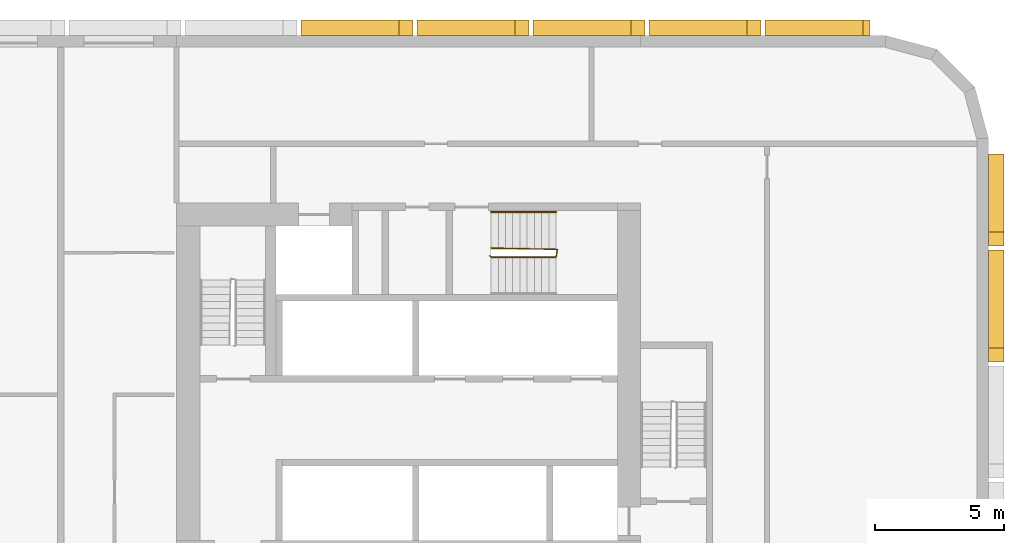
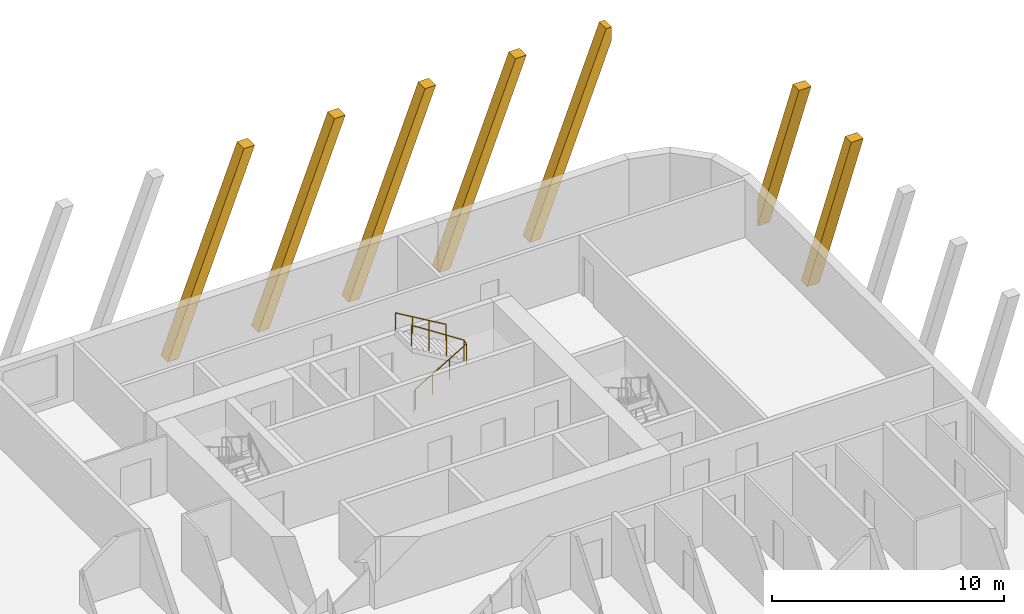
# One storey, part 13 of 13: 7 coverings, 2 railings.
"""IFC4 building model written with IfcOpenShell, lengths in metres."""

from ifc_helpers import new_model, si_unit, direction, frame, origin, origin_2d, place, context, subcontext, project, spatial, polyline, rectangle, circle, outline, extrude, material, material_profile, profile_set, type_object, element, save


model = new_model("IFC4")

# Units and contexts
model_context = context("Model", 3, precision=1e-05, world=origin(), true_north=direction((0.0, 1.0)))
body_context = subcontext(model_context, "Body", "Model", "MODEL_VIEW")
ifc_project = project(units=[si_unit("LENGTHUNIT", "METRE"), si_unit("AREAUNIT", "SQUARE_METRE"), si_unit("VOLUMEUNIT", "CUBIC_METRE"), si_unit("PLANEANGLEUNIT", "RADIAN"), si_unit("MASSUNIT", "GRAM", prefix="KILO")], contexts=[model_context])

# Site, building, storey
site_placement = place(None, origin())
site = spatial("IfcSite", under=ifc_project, at=site_placement, CompositionType="ELEMENT")
building_placement = place(site_placement, origin())
building = spatial("IfcBuilding", under=site, at=building_placement, Name="Kajstack Hotel Tower", CompositionType="ELEMENT")
storey_placement = place(building_placement, frame((0.0, 0.0, 89.699951171875)))
storey = spatial("IfcBuildingStorey", under=building, at=storey_placement, Name="L18", CompositionType="ELEMENT", Elevation=89.699951171875)

# Coverings
ifc_material_1 = material(Name="Terracotta", Category="masonry")
ifc_material_profile = material_profile(ifc_material_1, rectangle(XDim=0.60009765625, YDim=0.5, at=origin_2d()), Name="Terracotta-clad concrete baguette 500 x 600")
ifc_profile_set = profile_set([ifc_material_profile], Name="Terracotta")
covering_type = type_object("IfcCoveringType", Name="BAGUETTE 500x600", PredefinedType="CLADDING", material=ifc_profile_set)
covering_1_placement = place(storey_placement, frame((45.0, 9.332275390625, 0.0), z_axis=(1.0, 0.0, 0.0), x_axis=(0.0, 1.0, 0.0)))
element("IfcCovering", 1, at=covering_1_placement, inside=storey, type_object=covering_type, Name="Baguette L18-07-027", PredefinedType="CLADDING", context=body_context, shape_type="SweptSolid", body=[
    extrude(outline(polyline([(0.0, 9.89990234375), (3.80029296875, 0.0), (4.3359375, 0.0), (0.53564453125, 9.89990234375), (0.0, 9.89990234375)])), origin(), (0.0, 0.0, 1.0), 0.60009765625),
])
covering_2_placement = place(storey_placement, frame((45.0, 13.832275390625, 0.0), z_axis=(1.0, 0.0, 0.0), x_axis=(0.0, 1.0, 0.0)))
element("IfcCovering", 2, at=covering_2_placement, inside=storey, type_object=covering_type, Name="Baguette L18-07-031", PredefinedType="CLADDING", context=body_context, shape_type="SweptSolid", body=[
    extrude(outline(polyline([(0.0, 9.89990234375), (3.56787109375, 0.605712890625), (3.56787109375, 2.000732421875), (0.53564453125, 9.89990234375), (0.0, 9.89990234375)])), origin(), (0.0, 0.0, 1.0), 0.60009765625),
])
covering_3_placement = place(storey_placement, frame((40.39990234375, 22.0, 0.0), z_axis=(0.0, 1.0, 0.0), x_axis=(-1.0, 0.0, 0.0)))
element("IfcCovering", 3, at=covering_3_placement, inside=storey, type_object=covering_type, Name="Baguette L18-11-003", PredefinedType="CLADDING", context=body_context, shape_type="SweptSolid", body=[
    extrude(outline(polyline([(0.267822265625, 9.89990234375), (0.0, 9.89990234375), (0.0, 9.202392578125), (3.532470703125, 0.0), (4.068115234375, 0.0), (0.267822265625, 9.89990234375)])), origin(), (0.0, 0.0, 1.0), 0.60009765625),
])
for number, where, z_axis, x_axis, name in (
    (4, (36.167724609375, 22.0, 0.0), (0.0, 1.0, 0.0), (-1.0, 0.0, 0.0), "Baguette L18-11-007"),
    (5, (31.667724609375, 22.0, 0.0), (0.0, 1.0, 0.0), (-1.0, 0.0, 0.0), "Baguette L18-11-011"),
    (6, (27.167724609375, 22.0, 0.0), (0.0, 1.0, 0.0), (-1.0, 0.0, 0.0), "Baguette L18-11-015"),
    (7, (22.667724609375, 22.0, 0.0), (0.0, 1.0, 0.0), (-1.0, 0.0, 0.0), "Baguette L18-11-019"),
):
    element("IfcCovering", number, at=place(storey_placement, frame(where, z_axis=z_axis, x_axis=x_axis)), inside=storey, type_object=covering_type, Name=name, PredefinedType="CLADDING", context=body_context, shape_type="SweptSolid", body=[
        extrude(outline(polyline([(0.0, 9.89990234375), (3.80029296875, 0.0), (4.3359375, 0.0), (0.53564453125, 9.89990234375), (0.0, 9.89990234375)])), origin(), (0.0, 0.0, 1.0), 0.60009765625),
    ])

# Railings
ifc_material_2 = material(Name="Steel S355J2", Category="steel")
railing_type_1 = type_object("IfcRailingType", Name="Stair guard 1100", PredefinedType="GUARDRAIL", material=ifc_material_2)
railing_1_placement = place(storey_placement, frame((25.64990234375, 13.449951171875, 0.0)))
element("IfcRailing", 8, at=railing_1_placement, inside=storey, type_object=railing_type_1, Name="L18 E3 stair guard 1", PredefinedType="GUARDRAIL", context=body_context, shape_type="SweptSolid", body=[
    extrude(circle(Radius=0.02392578125, at=origin_2d()), frame((0.0, 0.0, 1.076171875), z_axis=(0.278705021027, -0.278705021027, 0.919046801044), x_axis=(0.707106781187, 0.707106781187, 0.0)), (0.0, 0.0, 1.0), 0.1796875),
    extrude(circle(Radius=0.02392578125, at=origin_2d()), frame((0.050048828125, -0.050048828125, 1.2412109375), z_axis=(0.86152411907, 0.0, 0.507716645641), x_axis=(0.0, 1.0, 0.0)), (0.0, 0.0, 1.0), 2.925048828125),
    extrude(circle(Radius=0.02392578125, at=origin_2d()), frame((2.570068359375, -0.050048828125, 2.72607421875), z_axis=(0.164529134168, 0.986372223864, 0.0), x_axis=(-0.986372223864, 0.164529134168, 0.0)), (0.0, 0.0, 1.0), 0.30419921875),
    extrude(circle(Radius=0.02392578125, at=origin_2d()), frame((2.6201171875, 0.25, 2.72607421875), z_axis=(-0.841405582595, 0.016385308676, 0.540155687962), x_axis=(-0.019470042781, -0.999810440751, 0.0)), (0.0, 0.0, 1.0), 3.054443359375),
    extrude(circle(Radius=0.02099609375, at=origin_2d()), origin(), (0.0, 0.0, 1.0), 1.052001953125),
    extrude(circle(Radius=0.02099609375, at=origin_2d()), frame((0.050048828125, -0.050048828125, 0.1650390625)), (0.0, 0.0, 1.0), 1.052001953125),
    extrude(circle(Radius=0.02099609375, at=origin_2d()), frame((0.89013671875, -0.050048828125, 0.66015625)), (0.0, 0.0, 1.0), 1.052001953125),
    extrude(circle(Radius=0.02099609375, at=origin_2d()), frame((1.72998046875, -0.050048828125, 1.155029296875)), (0.0, 0.0, 1.0), 1.052001953125),
    extrude(circle(Radius=0.02099609375, at=origin_2d()), frame((2.570068359375, -0.050048828125, 1.650146484375)), (0.0, 0.0, 1.0), 1.052001953125),
    extrude(circle(Radius=0.02099609375, at=origin_2d()), frame((2.6201171875, 0.25, 1.650146484375)), (0.0, 0.0, 1.0), 1.052001953125),
    extrude(circle(Radius=0.02099609375, at=origin_2d()), frame((1.763427734375, 0.2666015625, 2.2001953125)), (0.0, 0.0, 1.0), 1.052001953125),
    extrude(circle(Radius=0.02099609375, at=origin_2d()), frame((0.90673828125, 0.283447265625, 2.75)), (0.0, 0.0, 1.0), 1.052001953125),
    extrude(circle(Radius=0.02099609375, at=origin_2d()), frame((0.050048828125, 0.300048828125, 3.300048828125)), (0.0, 0.0, 1.0), 1.052001953125),
])
railing_type_2 = type_object("IfcRailingType", Name="Stair handrail 900", PredefinedType="HANDRAIL", material=ifc_material_2)
railing_2_placement = place(storey_placement, frame((28.219970703125, 15.14990234375, 1.81494140625)))
element("IfcRailing", 9, at=railing_2_placement, inside=storey, type_object=railing_type_2, Name="L18 E3 stair handrail 2", PredefinedType="HANDRAIL", context=body_context, shape_type="SweptSolid", body=[
    extrude(circle(Radius=0.02392578125, at=origin_2d()), frame((0.0, 0.0, 0.8759765625), z_axis=(-0.86152411907, 0.0, 0.507716645641), x_axis=(0.0, -1.0, 0.0)), (0.0, 0.0, 1.0), 2.925048828125),
    extrude(circle(Radius=0.02099609375, at=origin_2d()), origin(), (0.0, 0.0, 1.0), 0.851806640625),
    extrude(circle(Radius=0.02099609375, at=origin_2d()), frame((-0.840087890625, 0.0, 0.4951171875)), (0.0, 0.0, 1.0), 0.851806640625),
    extrude(circle(Radius=0.02099609375, at=origin_2d()), frame((-1.679931640625, 0.0, 0.989990234375)), (0.0, 0.0, 1.0), 0.851806640625),
    extrude(circle(Radius=0.02099609375, at=origin_2d()), frame((-2.52001953125, 0.0, 1.485107421875)), (0.0, 0.0, 1.0), 0.851806640625),
])

save(model, "model.ifc")
